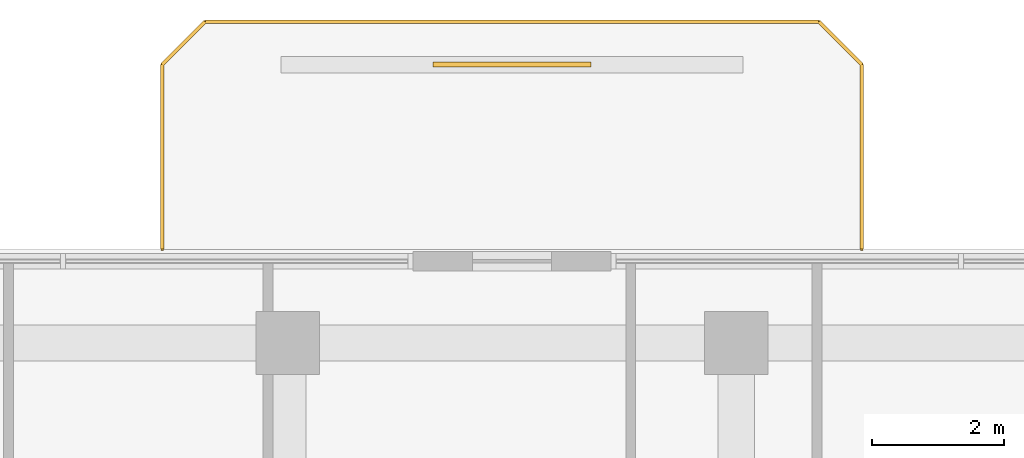
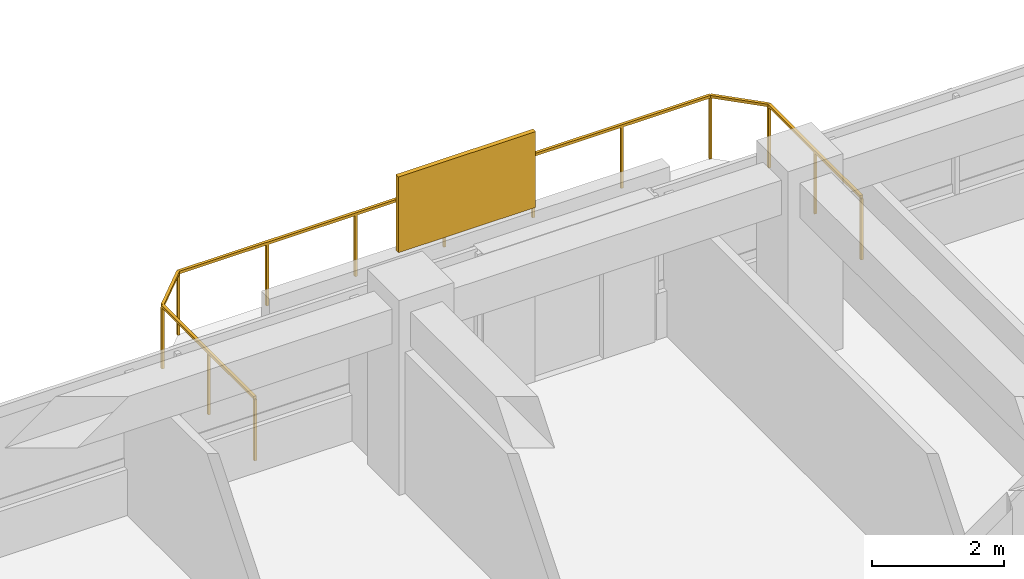
# One storey, part 12 of 12: 1 railing, 1 shading device.
"""IFC4 building model written with IfcOpenShell, lengths in metres."""

from ifc_helpers import new_model, si_unit, derived_unit, direction, frame, origin, origin_2d, place, context, subcontext, project, spatial, rectangle, extrude, material, layer, layer_set, type_object, element, save


model = new_model("IFC4")

# Units and contexts
model_context = context("Model", 3, precision=1e-05, world=origin(), true_north=direction((0.0, 1.0)))
body_context = subcontext(model_context, "Body", "Model", "MODEL_VIEW")
ifc_project = project(units=[si_unit("LENGTHUNIT", "METRE"), si_unit("AREAUNIT", "SQUARE_METRE"), si_unit("VOLUMEUNIT", "CUBIC_METRE"), si_unit("PLANEANGLEUNIT", "RADIAN"), si_unit("MASSUNIT", "GRAM", prefix="KILO"), derived_unit("THERMALTRANSMITTANCEUNIT", [(si_unit("POWERUNIT", "WATT"), 1), (si_unit("LENGTHUNIT", "METRE"), -2), (si_unit("THERMODYNAMICTEMPERATUREUNIT", "KELVIN"), -1)])], contexts=[model_context])

# Site, building, storey
site_placement = place(None, origin())
site = spatial("IfcSite", under=ifc_project, at=site_placement, CompositionType="ELEMENT")
building_placement = place(site_placement, origin())
building = spatial("IfcBuilding", under=site, at=building_placement, Name="Koralith Skygarden Medical Center", CompositionType="ELEMENT")
storey_placement = place(building_placement, frame((0.0, 0.0, 152.820068359375)))
storey = spatial("IfcBuildingStorey", under=building, at=storey_placement, Name="L39", CompositionType="ELEMENT", Elevation=152.820068359375)

# Railing
ifc_material_1 = material(Name="Steel ASTM A500 Grade C", Category="steel")
railing_type = type_object("IfcRailingType", Name="Outdoor Terrace & Balcony Safety Guardrail 1180", PredefinedType="GUARDRAIL", material=ifc_material_1)
railing_placement = place(storey_placement, frame((42.300048828125, 47.300048828125, 0.0)))
element("IfcRailing", 1, at=railing_placement, inside=storey, type_object=railing_type, Name="L39 N Balcony Perimeter Guardrail", PredefinedType="GUARDRAIL", context=body_context, shape_type="SweptSolid", body=[
    extrude(rectangle(XDim=0.050048828125, YDim=0.050048828125, at=origin_2d()), frame((0.0, 0.001953125, 1.15478515625), z_axis=(0.0, 1.0, 0.0), x_axis=(-1.0, 0.0, 0.0)), (0.0, 0.0, 1.0), 2.796142578125),
    extrude(rectangle(XDim=0.050048828125, YDim=0.050048828125, at=origin_2d()), frame((-0.00146484375, 2.801513671875, 1.15478515625), z_axis=(-0.707239558722, 0.706973978714, 0.0), x_axis=(-0.706973978714, -0.707239558722, 0.0)), (0.0, 0.0, 1.0), 0.915283203125),
    extrude(rectangle(XDim=0.050048828125, YDim=0.050048828125, at=origin_2d()), frame((-0.652099609375, 3.449951171875, 1.15478515625), z_axis=(-1.0, 0.0, 0.0), x_axis=(0.0, -1.0, 0.0)), (0.0, 0.0, 1.0), 9.2958984375),
    extrude(rectangle(XDim=0.050048828125, YDim=0.050048828125, at=origin_2d()), frame((-9.951416015625, 3.448486328125, 1.15478515625), z_axis=(-0.707239558722, -0.706973978714, 0.0), x_axis=(0.706973978714, -0.707239558722, 0.0)), (0.0, 0.0, 1.0), 0.915283203125),
    extrude(rectangle(XDim=0.050048828125, YDim=0.050048828125, at=origin_2d()), frame((-10.60009765625, 2.798095703125, 1.15478515625), z_axis=(0.0, -1.0, 0.0), x_axis=(1.0, 0.0, 0.0)), (0.0, 0.0, 1.0), 2.796142578125),
    extrude(rectangle(XDim=0.0419921875, YDim=0.0419921875, at=origin_2d()), origin(), (0.0, 0.0, 1.0), 1.1279296875),
    extrude(rectangle(XDim=0.0419921875, YDim=0.0419921875, at=origin_2d()), frame((0.0, 1.39990234375, 0.0)), (0.0, 0.0, 1.0), 1.1279296875),
    extrude(rectangle(XDim=0.0419921875, YDim=0.0419921875, at=origin_2d()), frame((0.0, 2.800048828125, 0.0)), (0.0, 0.0, 1.0), 1.1279296875),
    extrude(rectangle(XDim=0.0419921875, YDim=0.0419921875, at=origin_2d()), frame((-0.650146484375, 3.449951171875, 0.0)), (0.0, 0.0, 1.0), 1.1279296875),
    extrude(rectangle(XDim=0.0419921875, YDim=0.0419921875, at=origin_2d()), frame((-2.2001953125, 3.449951171875, 0.0)), (0.0, 0.0, 1.0), 1.1279296875),
    extrude(rectangle(XDim=0.0419921875, YDim=0.0419921875, at=origin_2d()), frame((-3.75, 3.449951171875, 0.0)), (0.0, 0.0, 1.0), 1.1279296875),
    extrude(rectangle(XDim=0.0419921875, YDim=0.0419921875, at=origin_2d()), frame((-5.300048828125, 3.449951171875, 0.0)), (0.0, 0.0, 1.0), 1.1279296875),
    extrude(rectangle(XDim=0.0419921875, YDim=0.0419921875, at=origin_2d()), frame((-6.85009765625, 3.449951171875, 0.0)), (0.0, 0.0, 1.0), 1.1279296875),
    extrude(rectangle(XDim=0.0419921875, YDim=0.0419921875, at=origin_2d()), frame((-8.39990234375, 3.449951171875, 0.0)), (0.0, 0.0, 1.0), 1.1279296875),
    extrude(rectangle(XDim=0.0419921875, YDim=0.0419921875, at=origin_2d()), frame((-9.949951171875, 3.449951171875, 0.0)), (0.0, 0.0, 1.0), 1.1279296875),
    extrude(rectangle(XDim=0.0419921875, YDim=0.0419921875, at=origin_2d()), frame((-10.60009765625, 2.800048828125, 0.0)), (0.0, 0.0, 1.0), 1.1279296875),
    extrude(rectangle(XDim=0.0419921875, YDim=0.0419921875, at=origin_2d()), frame((-10.60009765625, 1.39990234375, 0.0)), (0.0, 0.0, 1.0), 1.1279296875),
    extrude(rectangle(XDim=0.0419921875, YDim=0.0419921875, at=origin_2d()), frame((-10.60009765625, 0.0, 0.0)), (0.0, 0.0, 1.0), 1.1279296875),
])

# Shading device
ifc_material_2 = material(Name="Aluminium 6063-T6", Category="aluminium")
ifc_layer = layer(ifc_material_2, 0.080078125)
ifc_layer_set = layer_set([ifc_layer], Name="Aluminium 6063-T6")
shading_device_type = type_object("IfcShadingDeviceType", Name="Perforated Biophilic Balcony Trellis Screen", PredefinedType="USERDEFINED", material=ifc_layer_set)
shading_device_placement = place(storey_placement, frame((37.0, 50.10009765625, 0.719970703125), z_axis=(0.0, 0.0, 1.0), x_axis=(1.0, 0.0, 0.0)))
element("IfcShadingDevice", 2, at=shading_device_placement, inside=storey, type_object=shading_device_type, Name="L39 N Biophilic Balcony Trellis Screen", ObjectType="HURRICANE SCREEN", PredefinedType="USERDEFINED", context=body_context, shape_type="SweptSolid", body=[
    extrude(rectangle(XDim=2.39990234375, YDim=0.080078125, at=origin_2d()), origin(), (0.0, 0.0, 1.0), 1.39990234375),
])

save(model, "model.ifc")
